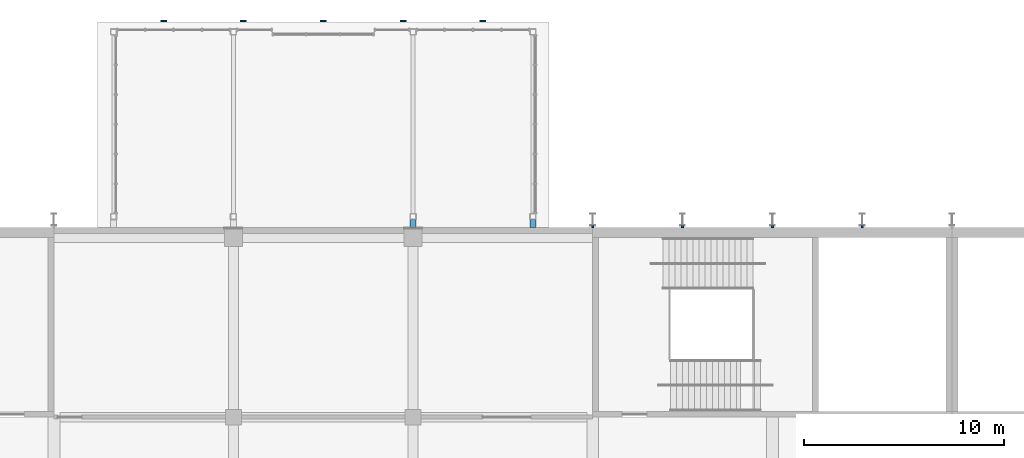
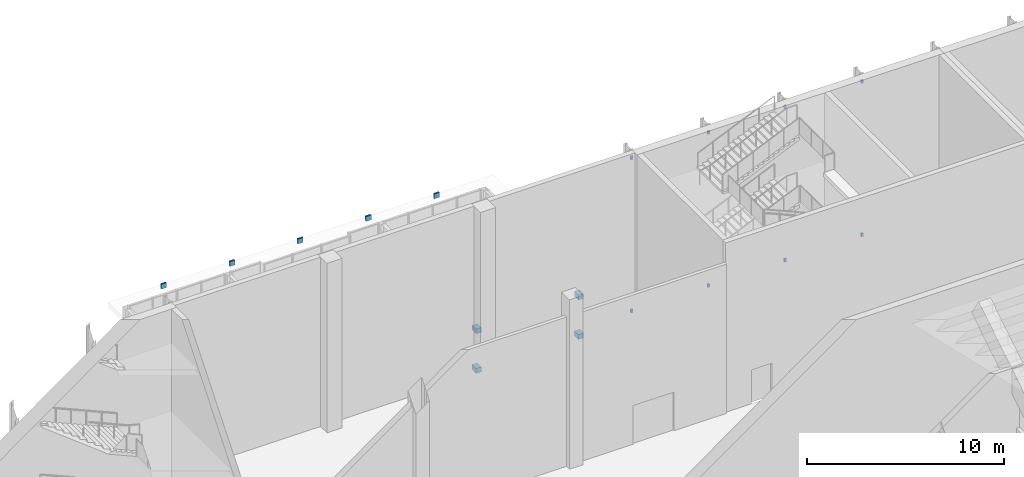
# One storey, part 129 of 182: 17 discrete accessories.
"""IFC4 building model written with IfcOpenShell, lengths in metres."""

from ifc_helpers import new_model, si_unit, direction, frame, origin, origin_2d, place, context, subcontext, project, spatial, rectangle, extrude, material, type_object, element, save


model = new_model("IFC4")

# Units and contexts
model_context = context("Model", 3, precision=1e-05, world=origin(), true_north=direction((0.0, 1.0)))
body_context = subcontext(model_context, "Body", "Model", "MODEL_VIEW")
ifc_project = project(units=[si_unit("LENGTHUNIT", "METRE"), si_unit("AREAUNIT", "SQUARE_METRE"), si_unit("VOLUMEUNIT", "CUBIC_METRE"), si_unit("PLANEANGLEUNIT", "RADIAN"), si_unit("MASSUNIT", "GRAM", prefix="KILO")], contexts=[model_context])

# Site, building, storey
site_placement = place(None, origin())
site = spatial("IfcSite", under=ifc_project, at=site_placement, CompositionType="ELEMENT")
building_placement = place(site_placement, origin())
building = spatial("IfcBuilding", under=site, at=building_placement, Name="Silverbay Arena", CompositionType="ELEMENT")
storey_placement = place(building_placement, frame((0.0, 0.0, 11.5)))
storey = spatial("IfcBuildingStorey", under=building, at=storey_placement, Name="L02", CompositionType="ELEMENT", Elevation=11.5)

# Discrete accessories
ifc_material = material(Name="Steel S355", Category="steel")
discrete_accessory_type = type_object("IfcDiscreteAccessoryType", Name="Steel bracket plate", PredefinedType="BRACKET", material=ifc_material)
for number, where, z_axis, x_axis, name in (
    (1, (144.0, 144.550048828125, 0.39990234375), (0.0, 0.0, 1.0), (1.0, 0.0, 0.0), "Fin bracket"),
    (2, (144.0, 144.550048828125, 9.89990234375), (0.0, 0.0, 1.0), (1.0, 0.0, 0.0), "Fin bracket"),
    (3, (148.5, 144.550048828125, 0.39990234375), (0.0, 0.0, 1.0), (1.0, 0.0, 0.0), "Fin bracket"),
    (4, (148.5, 144.550048828125, 9.89990234375), (0.0, 0.0, 1.0), (1.0, 0.0, 0.0), "Fin bracket"),
    (5, (153.0, 144.550048828125, 0.39990234375), (0.0, 0.0, 1.0), (1.0, 0.0, 0.0), "Fin bracket"),
    (6, (153.0, 144.550048828125, 9.89990234375), (0.0, 0.0, 1.0), (1.0, 0.0, 0.0), "Fin bracket"),
    (7, (157.5, 144.550048828125, 0.39990234375), (0.0, 0.0, 1.0), (1.0, 0.0, 0.0), "Fin bracket"),
    (8, (157.5, 144.550048828125, 9.89990234375), (0.0, 0.0, 1.0), (1.0, 0.0, 0.0), "Fin bracket"),
):
    element("IfcDiscreteAccessory", number, at=place(storey_placement, frame(where, z_axis=z_axis, x_axis=x_axis)), inside=storey, type_object=discrete_accessory_type, Name=name, PredefinedType="BRACKET", context=body_context, shape_type="SweptSolid", body=[
        extrude(rectangle(XDim=0.1201171875, YDim=0.10009765625, at=origin_2d()), origin(), (0.0, 0.0, 1.0), 0.199951171875),
    ])
for number, where, z_axis, x_axis, name in (
    (9, (135.0, 144.699951171875, -0.14990234375), (0.0, 0.0, 1.0), (1.0, 0.0, 0.0), "Hall column bracket plate"),
    (10, (135.0, 144.699951171875, 2.29638671875), (0.0, 0.0, 1.0), (1.0, 0.0, 0.0), "Hall column bracket plate"),
    (11, (141.0, 144.699951171875, -0.14990234375), (0.0, 0.0, 1.0), (1.0, 0.0, 0.0), "Hall column bracket plate"),
    (12, (141.0, 144.699951171875, 2.29638671875), (0.0, 0.0, 1.0), (1.0, 0.0, 0.0), "Hall column bracket plate"),
):
    element("IfcDiscreteAccessory", number, at=place(storey_placement, frame(where, z_axis=z_axis, x_axis=x_axis)), inside=storey, type_object=discrete_accessory_type, Name=name, PredefinedType="BRACKET", context=body_context, shape_type="SweptSolid", body=[
        extrude(rectangle(XDim=0.300048828125, YDim=0.39990234375, at=origin_2d()), origin(), (0.0, 0.0, 1.0), 0.300048828125),
    ])
for number, where, z_axis, x_axis, name in (
    (13, (122.5, 154.85009765625, 3.2001953125), (0.0, 0.0, 1.0), (1.0, 0.0, 0.0), "Canopy tie roof lug plate"),
    (14, (126.5, 154.85009765625, 3.2001953125), (0.0, 0.0, 1.0), (1.0, 0.0, 0.0), "Canopy tie roof lug plate"),
    (15, (130.5, 154.85009765625, 3.2001953125), (0.0, 0.0, 1.0), (1.0, 0.0, 0.0), "Canopy tie roof lug plate"),
    (16, (134.5, 154.85009765625, 3.2001953125), (0.0, 0.0, 1.0), (1.0, 0.0, 0.0), "Canopy tie roof lug plate"),
    (17, (138.5, 154.85009765625, 3.2001953125), (0.0, 0.0, 1.0), (1.0, 0.0, 0.0), "Canopy tie roof lug plate"),
):
    element("IfcDiscreteAccessory", number, at=place(storey_placement, frame(where, z_axis=z_axis, x_axis=x_axis)), inside=storey, type_object=discrete_accessory_type, Name=name, PredefinedType="BRACKET", context=body_context, shape_type="SweptSolid", body=[
        extrude(rectangle(XDim=0.300048828125, YDim=0.10009765625, at=origin_2d()), origin(), (0.0, 0.0, 1.0), 0.300048828125),
    ])

save(model, "model.ifc")
